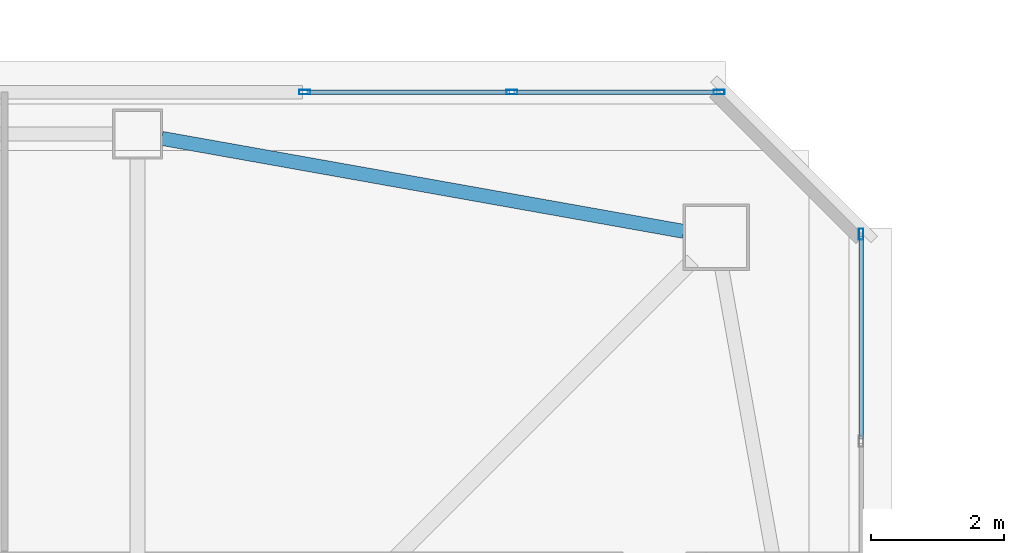
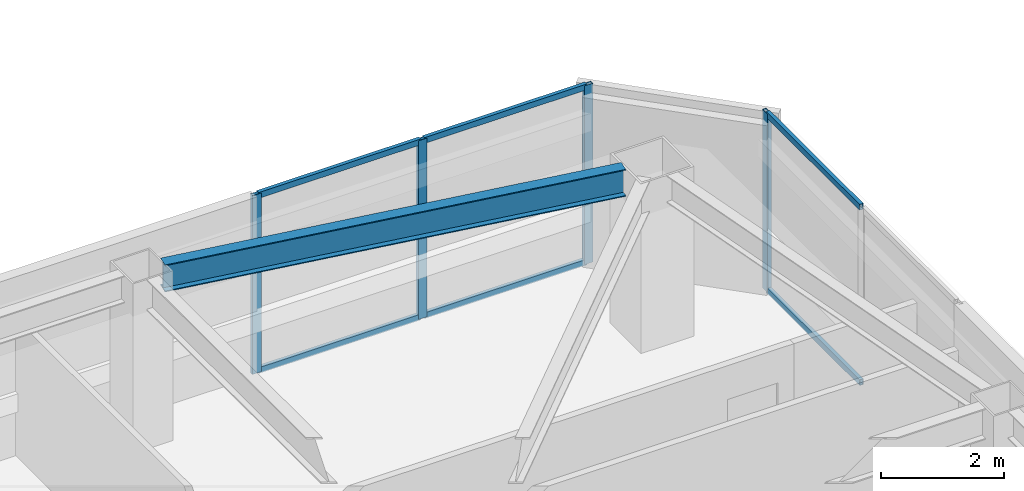
# One storey, part 17 of 44: 10 members, 1 beam, 2 elements without a shape of their own.
"""IFC4 building model written with IfcOpenShell, lengths in metres."""

from ifc_helpers import new_model, si_unit, direction, frame, origin, origin_2d, place, context, subcontext, project, spatial, hollow_rectangle, i_section, extrude, material, material_profile, profile_set, type_object, element, aggregate, save


model = new_model("IFC4")

# Units and contexts
model_context = context("Model", 3, precision=1e-05, world=origin(), true_north=direction((0.0, 1.0)))
body_context = subcontext(model_context, "Body", "Model", "MODEL_VIEW")
ifc_project = project(units=[si_unit("LENGTHUNIT", "METRE"), si_unit("AREAUNIT", "SQUARE_METRE"), si_unit("VOLUMEUNIT", "CUBIC_METRE"), si_unit("PLANEANGLEUNIT", "RADIAN"), si_unit("MASSUNIT", "GRAM", prefix="KILO")], contexts=[model_context])

# Site, building, storey
site_placement = place(None, origin())
site = spatial("IfcSite", under=ifc_project, at=site_placement, CompositionType="ELEMENT")
building_placement = place(site_placement, origin())
building = spatial("IfcBuilding", under=site, at=building_placement, Name="Tashvorn Skyway Center", CompositionType="ELEMENT")
storey_placement = place(building_placement, frame((0.0, 0.0, 211.300048828125)))
storey = spatial("IfcBuildingStorey", under=building, at=storey_placement, Name="L57", CompositionType="ELEMENT", Elevation=211.300048828125)

# Beam
ifc_material_1 = material(Name="Steel ASTM A992 Grade 50", Category="steel")
ifc_material_profile_1 = material_profile(ifc_material_1, i_section(OverallWidth=0.2109375, OverallDepth=0.5390625, WebThickness=0.01171875, FlangeThickness=0.018798828125, at=origin_2d()), Name="W21X73")
ifc_profile_set_1 = profile_set([ifc_material_profile_1], Name="Steel ASTM A992 Grade 50")
beam_type = type_object("IfcBeamType", Name="BM-SPANDREL-W21X73", PredefinedType="SPANDREL", material=ifc_profile_set_1)
beam_placement = place(storey_placement, frame((55.61279296875, 46.186767578125, 3.100341796875), z_axis=(-0.984494883191, 0.17541329759, 0.0), x_axis=(-0.17541329759, -0.984494883191, 0.0)))
element("IfcBeam", 1, at=beam_placement, inside=storey, type_object=beam_type, Name="Tower 1 L57 Spandrel Beam 07", PredefinedType="SPANDREL", context=body_context, shape_type="SweptSolid", body=[
    extrude(i_section(OverallWidth=0.2109375, OverallDepth=0.5390625, WebThickness=0.01171875, FlangeThickness=0.018798828125, at=origin_2d()), origin(), (0.0, 0.0, 1.0), 7.97216796875),
])

# Curtain wall, members
ifc_material_2 = material(Name="Thermally broken bronze-anodized aluminium 6063-T6", Category="aluminium")
curtain_wall_type = type_object("IfcCurtainWallType", Name="CW-CW-Z5", PredefinedType="NOTDEFINED", material=ifc_material_2)
curtain_wall_1_placement = place(storey_placement, origin())
curtain_wall_1 = element("IfcCurtainWall", 2, at=curtain_wall_1_placement, inside=storey, type_object=curtain_wall_type, Name="Tower 1 L57 North Unitised Curtain Wall Glazing Group 3", PredefinedType="NOTDEFINED")
ifc_material_profile_2 = material_profile(ifc_material_2, hollow_rectangle(XDim=0.070068359375, YDim=0.1650390625, WallThickness=0.00390625, at=origin_2d()), Name="ALU-MULL-70x165")
ifc_profile_set_2 = profile_set([ifc_material_profile_2], Name="Thermally broken bronze-anodized aluminium 6063-T6")
member_type_1 = type_object("IfcMemberType", Name="CWM-CW-Z5", PredefinedType="MULLION", material=ifc_profile_set_2)
member_1_placement = place(storey_placement, frame((49.912841796875, 48.280029296875, 0.0), z_axis=(0.0, 0.0, 1.0), x_axis=(0.0, 1.0, 0.0)))
member_1 = element("IfcMember", 3, at=member_1_placement, type_object=member_type_1, Name="CW-Z5 mullion 1", PredefinedType="MULLION", context=body_context, shape_type="SweptSolid", body=[
    extrude(hollow_rectangle(XDim=0.070068359375, YDim=0.1650390625, WallThickness=0.00390625, at=origin_2d()), origin(), (0.0, 0.0, 1.0), 3.550048828125),
])
member_2_placement = place(storey_placement, frame((53.02880859375, 48.280029296875, 0.0), z_axis=(0.0, 0.0, 1.0), x_axis=(0.0, 1.0, 0.0)))
member_2 = element("IfcMember", 4, at=member_2_placement, type_object=member_type_1, Name="CW-Z5 mullion 2", PredefinedType="MULLION", context=body_context, shape_type="SweptSolid", body=[
    extrude(hollow_rectangle(XDim=0.070068359375, YDim=0.1650390625, WallThickness=0.00390625, at=origin_2d()), origin(), (0.0, 0.0, 1.0), 3.550048828125),
])
member_3_placement = place(storey_placement, frame((56.14501953125, 48.280029296875, 0.0), z_axis=(0.0, 0.0, 1.0), x_axis=(0.0, 1.0, 0.0)))
member_3 = element("IfcMember", 5, at=member_3_placement, type_object=member_type_1, Name="CW-Z5 mullion 3", PredefinedType="MULLION", context=body_context, shape_type="SweptSolid", body=[
    extrude(hollow_rectangle(XDim=0.070068359375, YDim=0.1650390625, WallThickness=0.00390625, at=origin_2d()), origin(), (0.0, 0.0, 1.0), 3.550048828125),
])

# Curtain wall, member
curtain_wall_2_placement = place(storey_placement, origin())
curtain_wall_2 = element("IfcCurtainWall", 6, at=curtain_wall_2_placement, inside=storey, type_object=curtain_wall_type, Name="Tower 1 L57 East Unitised Curtain Wall Glazing Group 1", PredefinedType="NOTDEFINED")
member_4_placement = place(storey_placement, frame((58.280029296875, 46.14501953125, 0.0), z_axis=(0.0, 0.0, 1.0), x_axis=(1.0, 0.0, 0.0)))
member_4 = element("IfcMember", 7, at=member_4_placement, type_object=member_type_1, Name="CW-Z5 mullion 1", PredefinedType="MULLION", context=body_context, shape_type="SweptSolid", body=[
    extrude(hollow_rectangle(XDim=0.070068359375, YDim=0.1650390625, WallThickness=0.00390625, at=origin_2d()), origin(), (0.0, 0.0, 1.0), 3.550048828125),
])

# Member
ifc_material_profile_3 = material_profile(ifc_material_2, hollow_rectangle(XDim=0.070068359375, YDim=0.114990234375, WallThickness=0.00390625, at=origin_2d()), Name="ALU-TRAN-70x115")
ifc_profile_set_3 = profile_set([ifc_material_profile_3], Name="Thermally broken bronze-anodized aluminium 6063-T6")
member_type_2 = type_object("IfcMemberType", Name="CWT-CW-Z5", PredefinedType="USERDEFINED", material=ifc_profile_set_3)
member_5_placement = place(storey_placement, frame((49.94775390625, 48.280029296875, 0.034912109375), z_axis=(1.0, 0.0, 0.0), x_axis=(0.0, 1.0, 0.0)))
member_5 = element("IfcMember", 8, at=member_5_placement, type_object=member_type_2, Name="CW-Z5 transom 1.1", ObjectType="TRANSOM", PredefinedType="USERDEFINED", context=body_context, shape_type="SweptSolid", body=[
    extrude(hollow_rectangle(XDim=0.070068359375, YDim=0.114990234375, WallThickness=0.00390625, at=origin_2d()), origin(), (0.0, 0.0, 1.0), 3.046142578125),
])

member_6_placement = place(storey_placement, frame((49.94775390625, 48.280029296875, 3.514892578125), z_axis=(1.0, 0.0, 0.0), x_axis=(0.0, 1.0, 0.0)))
member_6 = element("IfcMember", 9, at=member_6_placement, type_object=member_type_2, Name="CW-Z5 transom 1.2", ObjectType="TRANSOM", PredefinedType="USERDEFINED", context=body_context, shape_type="SweptSolid", body=[
    extrude(hollow_rectangle(XDim=0.070068359375, YDim=0.114990234375, WallThickness=0.00390625, at=origin_2d()), origin(), (0.0, 0.0, 1.0), 3.046142578125),
])

member_7_placement = place(storey_placement, frame((53.06396484375, 48.280029296875, 0.034912109375), z_axis=(1.0, 0.0, 0.0), x_axis=(0.0, 1.0, 0.0)))
member_7 = element("IfcMember", 10, at=member_7_placement, type_object=member_type_2, Name="CW-Z5 transom 2.1", ObjectType="TRANSOM", PredefinedType="USERDEFINED", context=body_context, shape_type="SweptSolid", body=[
    extrude(hollow_rectangle(XDim=0.070068359375, YDim=0.114990234375, WallThickness=0.00390625, at=origin_2d()), origin(), (0.0, 0.0, 1.0), 3.046142578125),
])

member_8_placement = place(storey_placement, frame((53.06396484375, 48.280029296875, 3.514892578125), z_axis=(1.0, 0.0, 0.0), x_axis=(0.0, 1.0, 0.0)))
member_8 = element("IfcMember", 11, at=member_8_placement, type_object=member_type_2, Name="CW-Z5 transom 2.2", ObjectType="TRANSOM", PredefinedType="USERDEFINED", context=body_context, shape_type="SweptSolid", body=[
    extrude(hollow_rectangle(XDim=0.070068359375, YDim=0.114990234375, WallThickness=0.00390625, at=origin_2d()), origin(), (0.0, 0.0, 1.0), 3.046142578125),
])

aggregate(curtain_wall_1, [member_1, member_2, member_3, member_5, member_6, member_7, member_8])

member_9_placement = place(storey_placement, frame((58.280029296875, 46.110107421875, 0.034912109375), z_axis=(0.0, -1.0, 0.0), x_axis=(1.0, 0.0, 0.0)))
member_9 = element("IfcMember", 12, at=member_9_placement, type_object=member_type_2, Name="CW-Z5 transom 1.1", ObjectType="TRANSOM", PredefinedType="USERDEFINED", context=body_context, shape_type="SweptSolid", body=[
    extrude(hollow_rectangle(XDim=0.070068359375, YDim=0.114990234375, WallThickness=0.00390625, at=origin_2d()), origin(), (0.0, 0.0, 1.0), 3.046142578125),
])

member_10_placement = place(storey_placement, frame((58.280029296875, 46.110107421875, 3.514892578125), z_axis=(0.0, -1.0, 0.0), x_axis=(1.0, 0.0, 0.0)))
member_10 = element("IfcMember", 13, at=member_10_placement, type_object=member_type_2, Name="CW-Z5 transom 1.2", ObjectType="TRANSOM", PredefinedType="USERDEFINED", context=body_context, shape_type="SweptSolid", body=[
    extrude(hollow_rectangle(XDim=0.070068359375, YDim=0.114990234375, WallThickness=0.00390625, at=origin_2d()), origin(), (0.0, 0.0, 1.0), 3.046142578125),
])

aggregate(curtain_wall_2, [member_4, member_9, member_10])

save(model, "model.ifc")
